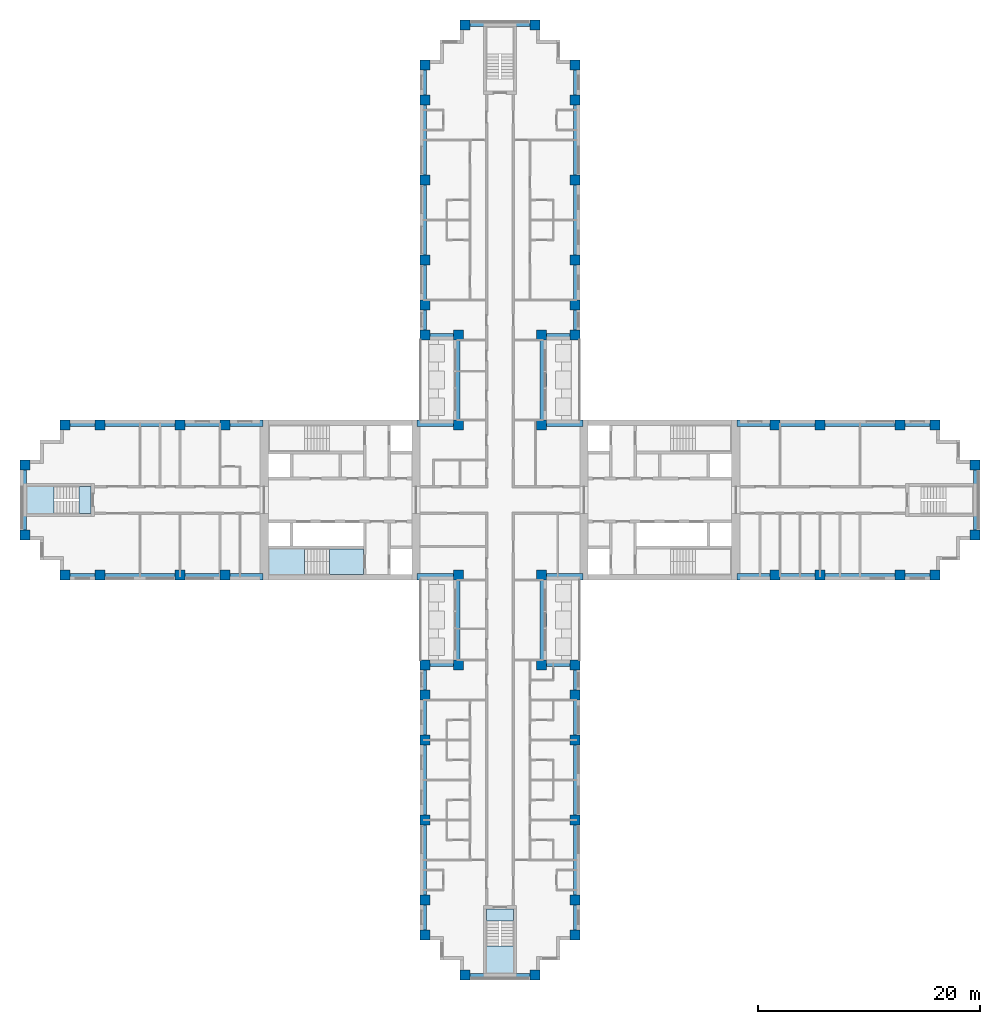
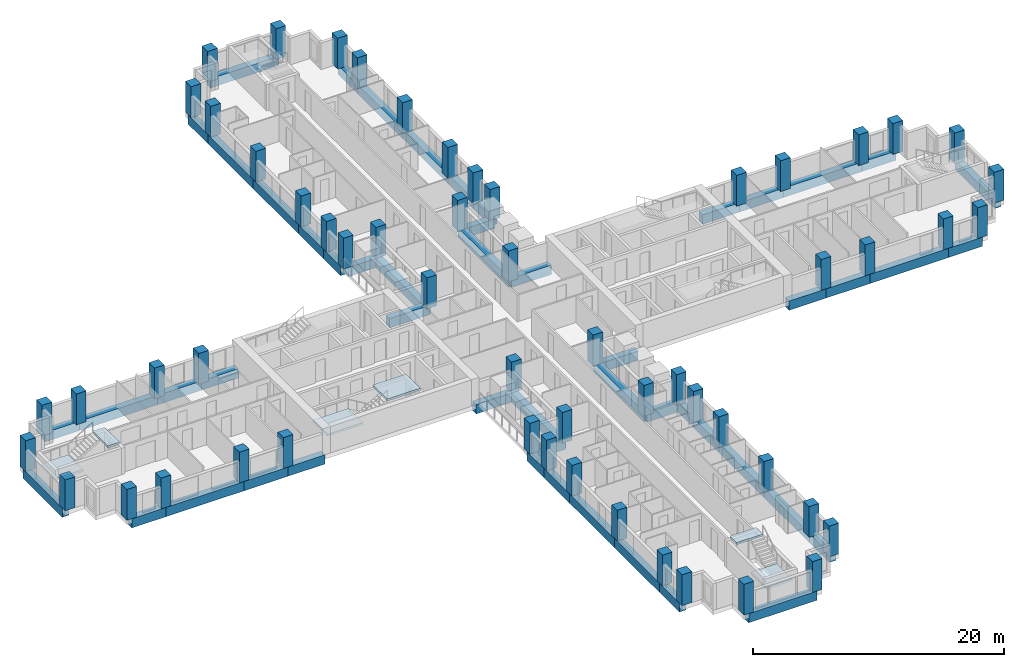
# One storey, part 1 of 16: 56 columns, 52 beams, 6 slabs, 3 elements without a shape of their own.
"""IFC4 building model written with IfcOpenShell, lengths in metres."""

import ifcopenshell
import ifcopenshell.guid

model = None  # the IFC model being written
_history = None  # IfcOwnerHistory: only IFC2X3 demands one
_inside = {}  # id of a spatial element -> (the spatial element, [elements in it])
_under = {}  # id of a project, library or spatial element -> (it, [spatial elements below it])
_declared = {}  # id of a project -> (the project, [libraries it declares])
_typed = {}  # id of a type object -> (the type object, [elements of that type])
_made_of = {}  # id of a material, layer set ... -> (it, [elements and type objects made of it])


def new_model(schema):
    """Start an empty IFC model of exactly this schema.

    Asked for "IFC4X3", IfcOpenShell would pick the latest addendum, in which some entities
    have other attributes; the version numbers below select the first issue.
    IFC2X3 requires an IfcOwnerHistory on every rooted entity: one is made here for all.
    """
    global model, _history
    if schema == "IFC4X3":
        model = ifcopenshell.file(schema_version=(4, 3, 0, 0))
    else:
        model = ifcopenshell.file(schema=schema)
    _inside.clear()
    _under.clear()
    _declared.clear()
    _typed.clear()
    _made_of.clear()
    _history = None
    if model.schema == "IFC2X3":
        org = make("IfcOrganization", Name="unknown")
        user = make(
            "IfcPersonAndOrganization",
            ThePerson=make("IfcPerson", FamilyName="unknown"),
            TheOrganization=org,
        )
        app = make(
            "IfcApplication",
            ApplicationDeveloper=org,
            Version="unknown",
            ApplicationFullName="unknown",
            ApplicationIdentifier="unknown",
        )
        _history = make(
            "IfcOwnerHistory",
            OwningUser=user,
            OwningApplication=app,
            ChangeAction="ADDED",
            CreationDate=0,
        )
    return model


def make(cls, **values):
    """One entity of the class cls with the attributes given. An attribute that is None is left unset."""
    return model.create_entity(
        cls, **{name: value for name, value in values.items() if value is not None}
    )


def rooted(cls, **values):
    """An entity with a GlobalId (a new one), such as an element, a storey or a relation."""
    return make(cls, GlobalId=ifcopenshell.guid.new(), OwnerHistory=_history, **values)


def si_unit(unit_type, name, prefix=None):
    """IfcSIUnit, for example si_unit("LENGTHUNIT", "METRE", prefix="MILLI")."""
    return make("IfcSIUnit", UnitType=unit_type, Prefix=prefix, Name=name)


def assignment(units):
    """IfcUnitAssignment: the units of a project."""
    return None if units is None else make("IfcUnitAssignment", Units=units)


def point(xyz):
    """IfcCartesianPoint."""
    return None if xyz is None else make("IfcCartesianPoint", Coordinates=xyz)


def direction(xyz):
    """IfcDirection."""
    return None if xyz is None else make("IfcDirection", DirectionRatios=xyz)


def frame(location, z_axis=None, x_axis=None):
    """IfcAxis2Placement3D, a coordinate frame: its origin and axes. An axis left out is left unset."""
    return make(
        "IfcAxis2Placement3D",
        Location=point(location),
        Axis=direction(z_axis),
        RefDirection=direction(x_axis),
    )


def frame_2d(location, x_axis=None):
    """IfcAxis2Placement2D, a coordinate frame in the plane: its origin and x axis."""
    return make(
        "IfcAxis2Placement2D", Location=point(location), RefDirection=direction(x_axis)
    )


def origin():
    """The frame at (0, 0, 0) with its axes left unset."""
    return frame((0.0, 0.0, 0.0))


def origin_2d():
    """The frame at (0, 0) in the plane with its x axis left unset."""
    return frame_2d((0.0, 0.0))


def place(relative_to, where):
    """IfcLocalPlacement: puts the frame where relative to a parent placement (None: the world)."""
    return make(
        "IfcLocalPlacement", PlacementRelTo=relative_to, RelativePlacement=where
    )


def context(
    kind, dimensions, precision=None, world=None, true_north=None, identifier=None
):
    """IfcGeometricRepresentationContext, for example the 3D "Model" context."""
    return make(
        "IfcGeometricRepresentationContext",
        ContextIdentifier=identifier,
        ContextType=kind,
        CoordinateSpaceDimension=dimensions,
        Precision=precision,
        WorldCoordinateSystem=world,
        TrueNorth=true_north,
    )


def subcontext(parent, identifier, kind, view, scale=None):
    """IfcGeometricRepresentationSubContext, for example "Body" below "Model"."""
    return make(
        "IfcGeometricRepresentationSubContext",
        ContextIdentifier=identifier,
        ContextType=kind,
        ParentContext=parent,
        TargetScale=scale,
        TargetView=view,
    )


def project(units=None, contexts=None):
    """IfcProject with its units and contexts."""
    return rooted(
        "IfcProject",
        Name="project",
        RepresentationContexts=contexts,
        UnitsInContext=assignment(units),
    )


def spatial(cls, under=None, at=None, **own):
    """A site, building, storey or space (cls), placed at a placement, below another one or the project."""
    s = rooted(cls, ObjectPlacement=at, **own)
    if under is not None:
        _under.setdefault(under.id(), (under, []))[1].append(s)
    return s


def polyline(points):
    """IfcPolyline through the points."""
    return make("IfcPolyline", Points=[point(p) for p in points])


def profile(cls, at=None, kind="AREA", **sizes):
    """A parametric profile (cls). Its sizes go by their IFC names, for example OverallWidth=200.0."""
    return make(cls, ProfileType=kind, Position=at, **sizes)


def rectangle(**sizes):
    """IfcRectangleProfileDef."""
    return profile("IfcRectangleProfileDef", **sizes)


def outline(outer, holes=None, kind="AREA"):
    """IfcArbitraryClosedProfileDef: a profile drawn as a closed curve; with holes, ...WithVoids."""
    if holes is None:
        return make("IfcArbitraryClosedProfileDef", ProfileType=kind, OuterCurve=outer)
    return make(
        "IfcArbitraryProfileDefWithVoids",
        ProfileType=kind,
        OuterCurve=outer,
        InnerCurves=holes,
    )


def extrude(swept, where, along, depth):
    """IfcExtrudedAreaSolid: the profile swept, set in the frame where, extruded along a direction by depth."""
    return make(
        "IfcExtrudedAreaSolid",
        SweptArea=swept,
        Position=where,
        ExtrudedDirection=direction(along),
        Depth=depth,
    )


def shape(context_of_items, identifier, shape_type, items):
    """IfcShapeRepresentation: the items that make up one representation, for example the "Body"."""
    return make(
        "IfcShapeRepresentation",
        ContextOfItems=context_of_items,
        RepresentationIdentifier=identifier,
        RepresentationType=shape_type,
        Items=items,
    )


def material(Name=None, Category=None):
    """IfcMaterial."""
    return make("IfcMaterial", Name=Name, Category=Category)


def layer(
    of_material, thickness, ventilated=None, Name=None, Category=None, Priority=None
):
    """IfcMaterialLayer: one layer of a wall or slab, of a material (None: an air gap)."""
    return make(
        "IfcMaterialLayer",
        Material=of_material,
        LayerThickness=thickness,
        IsVentilated=ventilated,
        Name=Name,
        Category=Category,
        Priority=Priority,
    )


def layer_set(layers, Name=None):
    """IfcMaterialLayerSet."""
    return make("IfcMaterialLayerSet", MaterialLayers=layers, LayerSetName=Name)


def material_profile(
    of_material, cross_section, Name=None, Category=None, Priority=None
):
    """IfcMaterialProfile: a cross section and its material."""
    return make(
        "IfcMaterialProfile",
        Name=Name,
        Material=of_material,
        Profile=cross_section,
        Priority=Priority,
        Category=Category,
    )


def profile_set(profiles, Name=None, composite=None):
    """IfcMaterialProfileSet."""
    return make(
        "IfcMaterialProfileSet",
        Name=Name,
        MaterialProfiles=profiles,
        CompositeProfile=composite,
    )


def made_of(thing, what):
    """Note that an element or type object is made of a material, layer set ...; save() writes the relation."""
    if what is not None:
        _made_of.setdefault(what.id(), (what, []))[1].append(thing)
    return thing


def type_object(cls, material=None, **own):
    """A type object (cls), such as IfcWallType, which elements share."""
    return made_of(rooted(cls, **own), material)


def element(
    cls,
    number,
    at=None,
    inside=None,
    cuts=None,
    type_object=None,
    material=None,
    context=None,
    identifier="Body",
    shape_type=None,
    held_by="IfcProductDefinitionShape",
    body=None,
    shapes=None,
    **own,
):
    """One element of the class cls, such as IfcWall. Its Tag is "e" and its number.

    at: its placement. inside: the storey or other place that contains it. cuts: it is an
    opening in that element (IfcRelVoidsElement). A single representation is given by context,
    identifier, shape_type and body (its items); several are given by shapes. held_by: the class
    of the entity that holds the representations. save() writes the other relations.
    """
    e = rooted(cls, Tag="e%d" % number, ObjectPlacement=at, **own)
    if body is not None:
        shapes = [shape(context, identifier, shape_type, body)]
    if shapes is not None:
        e.Representation = make(held_by, Representations=shapes)
    if inside is not None:
        _inside.setdefault(inside.id(), (inside, []))[1].append(e)
    if cuts is not None:
        rooted(
            "IfcRelVoidsElement", RelatingBuildingElement=cuts, RelatedOpeningElement=e
        )
    if type_object is not None:
        _typed.setdefault(type_object.id(), (type_object, []))[1].append(e)
    return made_of(e, material)


def aggregate(whole, parts):
    """IfcRelAggregates: a whole, such as a stair, and the parts it consists of."""
    return rooted("IfcRelAggregates", RelatingObject=whole, RelatedObjects=parts)


def save(model, path):
    """Write the relations noted so far, then the file.

    IfcRelAggregates (storeys below a building ...), IfcRelContainedInSpatialStructure (elements
    in a storey), IfcRelDefinesByType, IfcRelAssociatesMaterial and IfcRelDeclares: one each for
    every whole, place, type object, material and project.
    """
    for whole, parts in _under.values():
        aggregate(whole, parts)
    for where, things in _inside.values():
        rooted(
            "IfcRelContainedInSpatialStructure",
            RelatedElements=things,
            RelatingStructure=where,
        )
    for kind, things in _typed.values():
        rooted("IfcRelDefinesByType", RelatedObjects=things, RelatingType=kind)
    for what, things in _made_of.values():
        rooted("IfcRelAssociatesMaterial", RelatedObjects=things, RelatingMaterial=what)
    for by, libraries in _declared.values():
        rooted("IfcRelDeclares", RelatingContext=by, RelatedDefinitions=libraries)
    model.write(path)


model = new_model("IFC4")

# Units and contexts
model_context = context("Model", 3, precision=1e-05, world=origin(), true_north=direction((0.0, 1.0)))
body_context = subcontext(model_context, "Body", "Model", "MODEL_VIEW")
ifc_project = project(units=[si_unit("LENGTHUNIT", "METRE"), si_unit("AREAUNIT", "SQUARE_METRE"), si_unit("VOLUMEUNIT", "CUBIC_METRE"), si_unit("PLANEANGLEUNIT", "RADIAN"), si_unit("MASSUNIT", "GRAM", prefix="KILO")], contexts=[model_context])

# Site, building, storey
site_placement = place(None, origin())
site = spatial("IfcSite", under=ifc_project, at=site_placement, CompositionType="ELEMENT")
building_placement = place(site_placement, origin())
building = spatial("IfcBuilding", under=site, at=building_placement, Name="Fustian Cross Tower", CompositionType="ELEMENT")
storey_placement = place(building_placement, frame((0.0, 0.0, 23.699951171875)))
storey = spatial("IfcBuildingStorey", under=building, at=storey_placement, Name="L06", CompositionType="ELEMENT", Elevation=23.699951171875)

# Columns
ifc_material_1 = material(Name="Concrete C70/85", Category="concrete")
ifc_material_profile_1 = material_profile(ifc_material_1, rectangle(XDim=0.89990234375, YDim=0.89990234375, at=origin_2d()), Name="RC 900x900")
ifc_profile_set_1 = profile_set([ifc_material_profile_1], Name="Concrete C70/85")
column_type = type_object("IfcColumnType", Name="COLUMN RC 900x900 C70/85", PredefinedType="COLUMN", material=ifc_profile_set_1)
for number, where, z_axis, x_axis, name in (
    (1, (-42.75, -3.14990234375, 0.0), (0.0, 0.0, 1.0), (1.0, 0.0, 0.0), "COLUMN 001"),
    (2, (-42.75, 3.14990234375, 0.0), (0.0, 0.0, 1.0), (1.0, 0.0, 0.0), "COLUMN 002"),
    (3, (-39.14990234375, -6.75, 0.0), (0.0, 0.0, 1.0), (1.0, 0.0, 0.0), "COLUMN 003"),
    (4, (-39.14990234375, 6.75, 0.0), (0.0, 0.0, 1.0), (1.0, 0.0, 0.0), "COLUMN 004"),
    (5, (-36.0, -6.75, 0.0), (0.0, 0.0, 1.0), (1.0, 0.0, 0.0), "COLUMN 005"),
    (6, (-36.0, 6.75, 0.0), (0.0, 0.0, 1.0), (1.0, 0.0, 0.0), "COLUMN 006"),
    (7, (-28.800048828125, -6.75, 0.0), (0.0, 0.0, 1.0), (1.0, 0.0, 0.0), "COLUMN 007"),
    (8, (-28.800048828125, 6.75, 0.0), (0.0, 0.0, 1.0), (1.0, 0.0, 0.0), "COLUMN 010"),
    (9, (-24.75, -6.75, 0.0), (0.0, 0.0, 1.0), (1.0, 0.0, 0.0), "COLUMN 011"),
    (10, (-24.75, 6.75, 0.0), (0.0, 0.0, 1.0), (1.0, 0.0, 0.0), "COLUMN 012"),
    (11, (-6.75, -39.14990234375, 0.0), (0.0, 0.0, 1.0), (1.0, 0.0, 0.0), "COLUMN 013"),
    (12, (-6.75, -36.0, 0.0), (0.0, 0.0, 1.0), (1.0, 0.0, 0.0), "COLUMN 014"),
    (13, (-6.75, -28.800048828125, 0.0), (0.0, 0.0, 1.0), (1.0, 0.0, 0.0), "COLUMN 015"),
    (14, (-6.75, -21.60009765625, 0.0), (0.0, 0.0, 1.0), (1.0, 0.0, 0.0), "COLUMN 016"),
    (15, (-6.75, -17.550048828125, 0.0), (0.0, 0.0, 1.0), (1.0, 0.0, 0.0), "COLUMN 017"),
    (16, (-6.75, -14.85009765625, 0.0), (0.0, 0.0, 1.0), (1.0, 0.0, 0.0), "COLUMN 018"),
    (17, (-6.75, 14.85009765625, 0.0), (0.0, 0.0, 1.0), (1.0, 0.0, 0.0), "COLUMN 019"),
    (18, (-6.75, 17.550048828125, 0.0), (0.0, 0.0, 1.0), (1.0, 0.0, 0.0), "COLUMN 020"),
    (19, (-6.75, 21.60009765625, 0.0), (0.0, 0.0, 1.0), (1.0, 0.0, 0.0), "COLUMN 021"),
    (20, (-6.75, 28.800048828125, 0.0), (0.0, 0.0, 1.0), (1.0, 0.0, 0.0), "COLUMN 022"),
    (21, (-6.75, 36.0, 0.0), (0.0, 0.0, 1.0), (1.0, 0.0, 0.0), "COLUMN 023"),
    (22, (-6.75, 39.14990234375, 0.0), (0.0, 0.0, 1.0), (1.0, 0.0, 0.0), "COLUMN 024"),
    (23, (-3.75, -14.85009765625, 0.0), (0.0, 0.0, 1.0), (1.0, 0.0, 0.0), "COLUMN 025"),
    (24, (-3.75, -6.75, 0.0), (0.0, 0.0, 1.0), (1.0, 0.0, 0.0), "COLUMN 026"),
    (25, (-3.75, 6.75, 0.0), (0.0, 0.0, 1.0), (1.0, 0.0, 0.0), "COLUMN 027"),
    (26, (-3.75, 14.85009765625, 0.0), (0.0, 0.0, 1.0), (1.0, 0.0, 0.0), "COLUMN 028"),
    (27, (-3.14990234375, -42.75, 0.0), (0.0, 0.0, 1.0), (1.0, 0.0, 0.0), "COLUMN 029"),
    (28, (-3.14990234375, 42.75, 0.0), (0.0, 0.0, 1.0), (1.0, 0.0, 0.0), "COLUMN 032"),
    (29, (3.14990234375, -42.75, 0.0), (0.0, 0.0, 1.0), (1.0, 0.0, 0.0), "COLUMN 033"),
    (30, (3.14990234375, 42.75, 0.0), (0.0, 0.0, 1.0), (1.0, 0.0, 0.0), "COLUMN 036"),
    (31, (3.75, -14.85009765625, 0.0), (0.0, 0.0, 1.0), (1.0, 0.0, 0.0), "COLUMN 037"),
    (32, (3.75, -6.75, 0.0), (0.0, 0.0, 1.0), (1.0, 0.0, 0.0), "COLUMN 038"),
    (33, (3.75, 6.75, 0.0), (0.0, 0.0, 1.0), (1.0, 0.0, 0.0), "COLUMN 039"),
    (34, (3.75, 14.85009765625, 0.0), (0.0, 0.0, 1.0), (1.0, 0.0, 0.0), "COLUMN 040"),
    (35, (6.75, -39.14990234375, 0.0), (0.0, 0.0, 1.0), (1.0, 0.0, 0.0), "COLUMN 041"),
    (36, (6.75, -36.0, 0.0), (0.0, 0.0, 1.0), (1.0, 0.0, 0.0), "COLUMN 042"),
    (37, (6.75, -28.800048828125, 0.0), (0.0, 0.0, 1.0), (1.0, 0.0, 0.0), "COLUMN 043"),
    (38, (6.75, -21.60009765625, 0.0), (0.0, 0.0, 1.0), (1.0, 0.0, 0.0), "COLUMN 044"),
    (39, (6.75, -17.550048828125, 0.0), (0.0, 0.0, 1.0), (1.0, 0.0, 0.0), "COLUMN 045"),
    (40, (6.75, -14.85009765625, 0.0), (0.0, 0.0, 1.0), (1.0, 0.0, 0.0), "COLUMN 046"),
    (41, (6.75, 14.85009765625, 0.0), (0.0, 0.0, 1.0), (1.0, 0.0, 0.0), "COLUMN 047"),
    (42, (6.75, 17.550048828125, 0.0), (0.0, 0.0, 1.0), (1.0, 0.0, 0.0), "COLUMN 048"),
    (43, (6.75, 21.60009765625, 0.0), (0.0, 0.0, 1.0), (1.0, 0.0, 0.0), "COLUMN 049"),
    (44, (6.75, 28.800048828125, 0.0), (0.0, 0.0, 1.0), (1.0, 0.0, 0.0), "COLUMN 050"),
    (45, (6.75, 36.0, 0.0), (0.0, 0.0, 1.0), (1.0, 0.0, 0.0), "COLUMN 051"),
    (46, (6.75, 39.14990234375, 0.0), (0.0, 0.0, 1.0), (1.0, 0.0, 0.0), "COLUMN 052"),
    (47, (24.75, -6.75, 0.0), (0.0, 0.0, 1.0), (1.0, 0.0, 0.0), "COLUMN 053"),
    (48, (24.75, 6.75, 0.0), (0.0, 0.0, 1.0), (1.0, 0.0, 0.0), "COLUMN 054"),
    (49, (28.800048828125, -6.75, 0.0), (0.0, 0.0, 1.0), (1.0, 0.0, 0.0), "COLUMN 055"),
    (50, (28.800048828125, 6.75, 0.0), (0.0, 0.0, 1.0), (1.0, 0.0, 0.0), "COLUMN 058"),
    (51, (36.0, -6.75, 0.0), (0.0, 0.0, 1.0), (1.0, 0.0, 0.0), "COLUMN 059"),
    (52, (36.0, 6.75, 0.0), (0.0, 0.0, 1.0), (1.0, 0.0, 0.0), "COLUMN 060"),
    (53, (39.14990234375, -6.75, 0.0), (0.0, 0.0, 1.0), (1.0, 0.0, 0.0), "COLUMN 061"),
    (54, (39.14990234375, 6.75, 0.0), (0.0, 0.0, 1.0), (1.0, 0.0, 0.0), "COLUMN 062"),
    (55, (42.75, -3.14990234375, 0.0), (0.0, 0.0, 1.0), (1.0, 0.0, 0.0), "COLUMN 063"),
    (56, (42.75, 3.14990234375, 0.0), (0.0, 0.0, 1.0), (1.0, 0.0, 0.0), "COLUMN 064"),
):
    element("IfcColumn", number, at=place(storey_placement, frame(where, z_axis=z_axis, x_axis=x_axis)), inside=storey, type_object=column_type, Name=name, PredefinedType="COLUMN", context=body_context, shape_type="SweptSolid", body=[
        extrude(rectangle(XDim=0.89990234375, YDim=0.89990234375, at=origin_2d()), origin(), (0.0, 0.0, 1.0), 3.0),
    ])

# Beams
ifc_material_2 = material(Name="Concrete C50/60", Category="concrete")
ifc_material_profile_2 = material_profile(ifc_material_2, rectangle(XDim=0.60009765625, YDim=0.89990234375, at=origin_2d()), Name="RC 600x900")
ifc_profile_set_2 = profile_set([ifc_material_profile_2], Name="Concrete C50/60")
beam_type = type_object("IfcBeamType", Name="EDGE BEAM RC 600x900 C50/60", PredefinedType="SPANDREL", material=ifc_profile_set_2)
beam_1_placement = place(storey_placement, frame((21.35009765625, -6.89990234375, -0.449951171875), z_axis=(1.0, 0.0, 0.0), x_axis=(0.0, 1.0, 0.0)))
element("IfcBeam", 57, at=beam_1_placement, inside=storey, type_object=beam_type, Name="EDGE BEAM L06-01", PredefinedType="SPANDREL", context=body_context, shape_type="SweptSolid", body=[
    extrude(rectangle(XDim=0.60009765625, YDim=0.89990234375, at=origin_2d()), origin(), (0.0, 0.0, 1.0), 3.39990234375),
])
beam_2_placement = place(storey_placement, frame((24.75, -6.89990234375, -0.449951171875), z_axis=(1.0, 0.0, 0.0), x_axis=(0.0, 1.0, 0.0)))
element("IfcBeam", 58, at=beam_2_placement, inside=storey, type_object=beam_type, Name="EDGE BEAM L06-02", PredefinedType="SPANDREL", context=body_context, shape_type="SweptSolid", body=[
    extrude(rectangle(XDim=0.60009765625, YDim=0.89990234375, at=origin_2d()), origin(), (0.0, 0.0, 1.0), 4.050048828125),
])
beam_3_placement = place(storey_placement, frame((28.800048828125, -6.89990234375, -0.449951171875), z_axis=(1.0, 0.0, 0.0), x_axis=(0.0, 1.0, 0.0)))
element("IfcBeam", 59, at=beam_3_placement, inside=storey, type_object=beam_type, Name="EDGE BEAM L06-03", PredefinedType="SPANDREL", context=body_context, shape_type="SweptSolid", body=[
    extrude(rectangle(XDim=0.60009765625, YDim=0.89990234375, at=origin_2d()), origin(), (0.0, 0.0, 1.0), 7.199951171875),
])
beam_4_placement = place(storey_placement, frame((36.0, -6.89990234375, -0.449951171875), z_axis=(1.0, 0.0, 0.0), x_axis=(0.0, 1.0, 0.0)))
element("IfcBeam", 60, at=beam_4_placement, inside=storey, type_object=beam_type, Name="EDGE BEAM L06-04", PredefinedType="SPANDREL", context=body_context, shape_type="SweptSolid", body=[
    extrude(rectangle(XDim=0.60009765625, YDim=0.89990234375, at=origin_2d()), origin(), (0.0, 0.0, 1.0), 3.14990234375),
])
beam_5_placement = place(storey_placement, frame((42.89990234375, -3.14990234375, -0.449951171875), z_axis=(0.0, 1.0, 0.0), x_axis=(-1.0, 0.0, 0.0)))
element("IfcBeam", 61, at=beam_5_placement, inside=storey, type_object=beam_type, Name="EDGE BEAM L06-05", PredefinedType="SPANDREL", context=body_context, shape_type="SweptSolid", body=[
    extrude(rectangle(XDim=0.60009765625, YDim=0.89990234375, at=origin_2d()), origin(), (0.0, 0.0, 1.0), 6.2998046875),
])
beam_6_placement = place(storey_placement, frame((39.14990234375, 6.89990234375, -0.449951171875), z_axis=(-1.0, 0.0, 0.0), x_axis=(0.0, -1.0, 0.0)))
element("IfcBeam", 62, at=beam_6_placement, inside=storey, type_object=beam_type, Name="EDGE BEAM L06-06", PredefinedType="SPANDREL", context=body_context, shape_type="SweptSolid", body=[
    extrude(rectangle(XDim=0.60009765625, YDim=0.89990234375, at=origin_2d()), origin(), (0.0, 0.0, 1.0), 3.14990234375),
])
beam_7_placement = place(storey_placement, frame((36.0, 6.89990234375, -0.449951171875), z_axis=(-1.0, 0.0, 0.0), x_axis=(0.0, -1.0, 0.0)))
element("IfcBeam", 63, at=beam_7_placement, inside=storey, type_object=beam_type, Name="EDGE BEAM L06-07", PredefinedType="SPANDREL", context=body_context, shape_type="SweptSolid", body=[
    extrude(rectangle(XDim=0.60009765625, YDim=0.89990234375, at=origin_2d()), origin(), (0.0, 0.0, 1.0), 7.199951171875),
])
beam_8_placement = place(storey_placement, frame((28.800048828125, 6.89990234375, -0.449951171875), z_axis=(-1.0, 0.0, 0.0), x_axis=(0.0, -1.0, 0.0)))
element("IfcBeam", 64, at=beam_8_placement, inside=storey, type_object=beam_type, Name="EDGE BEAM L06-08", PredefinedType="SPANDREL", context=body_context, shape_type="SweptSolid", body=[
    extrude(rectangle(XDim=0.60009765625, YDim=0.89990234375, at=origin_2d()), origin(), (0.0, 0.0, 1.0), 4.050048828125),
])
beam_9_placement = place(storey_placement, frame((24.75, 6.89990234375, -0.449951171875), z_axis=(-1.0, 0.0, 0.0), x_axis=(0.0, -1.0, 0.0)))
element("IfcBeam", 65, at=beam_9_placement, inside=storey, type_object=beam_type, Name="EDGE BEAM L06-09", PredefinedType="SPANDREL", context=body_context, shape_type="SweptSolid", body=[
    extrude(rectangle(XDim=0.60009765625, YDim=0.89990234375, at=origin_2d()), origin(), (0.0, 0.0, 1.0), 3.39990234375),
])
beam_10_placement = place(storey_placement, frame((7.449951171875, 6.89990234375, -0.449951171875), z_axis=(-1.0, 0.0, 0.0), x_axis=(0.0, -1.0, 0.0)))
element("IfcBeam", 66, at=beam_10_placement, inside=storey, type_object=beam_type, Name="EDGE BEAM L06-10", PredefinedType="SPANDREL", context=body_context, shape_type="SweptSolid", body=[
    extrude(rectangle(XDim=0.60009765625, YDim=0.89990234375, at=origin_2d()), origin(), (0.0, 0.0, 1.0), 3.699951171875),
])
beam_11_placement = place(storey_placement, frame((3.89990234375, 6.75, -0.449951171875), z_axis=(0.0, 1.0, 0.0), x_axis=(-1.0, 0.0, 0.0)))
element("IfcBeam", 67, at=beam_11_placement, inside=storey, type_object=beam_type, Name="EDGE BEAM L06-11", PredefinedType="SPANDREL", context=body_context, shape_type="SweptSolid", body=[
    extrude(rectangle(XDim=0.60009765625, YDim=0.89990234375, at=origin_2d()), origin(), (0.0, 0.0, 1.0), 8.10009765625),
])
beam_12_placement = place(storey_placement, frame((3.75, 14.699951171875, -0.449951171875), z_axis=(1.0, 0.0, 0.0), x_axis=(0.0, 1.0, 0.0)))
element("IfcBeam", 68, at=beam_12_placement, inside=storey, type_object=beam_type, Name="EDGE BEAM L06-12", PredefinedType="SPANDREL", context=body_context, shape_type="SweptSolid", body=[
    extrude(rectangle(XDim=0.60009765625, YDim=0.89990234375, at=origin_2d()), origin(), (0.0, 0.0, 1.0), 3.0),
])
beam_13_placement = place(storey_placement, frame((6.89990234375, 14.85009765625, -0.449951171875), z_axis=(0.0, 1.0, 0.0), x_axis=(-1.0, 0.0, 0.0)))
element("IfcBeam", 69, at=beam_13_placement, inside=storey, type_object=beam_type, Name="EDGE BEAM L06-13", PredefinedType="SPANDREL", context=body_context, shape_type="SweptSolid", body=[
    extrude(rectangle(XDim=0.60009765625, YDim=0.89990234375, at=origin_2d()), origin(), (0.0, 0.0, 1.0), 2.699951171875),
])
beam_14_placement = place(storey_placement, frame((6.89990234375, 17.550048828125, -0.449951171875), z_axis=(0.0, 1.0, 0.0), x_axis=(-1.0, 0.0, 0.0)))
element("IfcBeam", 70, at=beam_14_placement, inside=storey, type_object=beam_type, Name="EDGE BEAM L06-14", PredefinedType="SPANDREL", context=body_context, shape_type="SweptSolid", body=[
    extrude(rectangle(XDim=0.60009765625, YDim=0.89990234375, at=origin_2d()), origin(), (0.0, 0.0, 1.0), 4.050048828125),
])
for number, where, z_axis, x_axis, name in (
    (71, (6.89990234375, 21.60009765625, -0.449951171875), (0.0, 1.0, 0.0), (-1.0, 0.0, 0.0), "EDGE BEAM L06-15"),
    (72, (6.89990234375, 28.800048828125, -0.449951171875), (0.0, 1.0, 0.0), (-1.0, 0.0, 0.0), "EDGE BEAM L06-16"),
):
    element("IfcBeam", number, at=place(storey_placement, frame(where, z_axis=z_axis, x_axis=x_axis)), inside=storey, type_object=beam_type, Name=name, PredefinedType="SPANDREL", context=body_context, shape_type="SweptSolid", body=[
        extrude(rectangle(XDim=0.60009765625, YDim=0.89990234375, at=origin_2d()), origin(), (0.0, 0.0, 1.0), 7.199951171875),
    ])
beam_15_placement = place(storey_placement, frame((6.89990234375, 36.0, -0.449951171875), z_axis=(0.0, 1.0, 0.0), x_axis=(-1.0, 0.0, 0.0)))
element("IfcBeam", 73, at=beam_15_placement, inside=storey, type_object=beam_type, Name="EDGE BEAM L06-17", PredefinedType="SPANDREL", context=body_context, shape_type="SweptSolid", body=[
    extrude(rectangle(XDim=0.60009765625, YDim=0.89990234375, at=origin_2d()), origin(), (0.0, 0.0, 1.0), 3.14990234375),
])
beam_16_placement = place(storey_placement, frame((3.14990234375, 42.89990234375, -0.449951171875), z_axis=(-1.0, 0.0, 0.0), x_axis=(0.0, -1.0, 0.0)))
element("IfcBeam", 74, at=beam_16_placement, inside=storey, type_object=beam_type, Name="EDGE BEAM L06-18", PredefinedType="SPANDREL", context=body_context, shape_type="SweptSolid", body=[
    extrude(rectangle(XDim=0.60009765625, YDim=0.89990234375, at=origin_2d()), origin(), (0.0, 0.0, 1.0), 6.2998046875),
])
beam_17_placement = place(storey_placement, frame((-6.89990234375, 39.14990234375, -0.449951171875), z_axis=(0.0, -1.0, 0.0), x_axis=(1.0, 0.0, 0.0)))
element("IfcBeam", 75, at=beam_17_placement, inside=storey, type_object=beam_type, Name="EDGE BEAM L06-19", PredefinedType="SPANDREL", context=body_context, shape_type="SweptSolid", body=[
    extrude(rectangle(XDim=0.60009765625, YDim=0.89990234375, at=origin_2d()), origin(), (0.0, 0.0, 1.0), 3.14990234375),
])
for number, where, z_axis, x_axis, name in (
    (76, (-6.89990234375, 36.0, -0.449951171875), (0.0, -1.0, 0.0), (1.0, 0.0, 0.0), "EDGE BEAM L06-20"),
    (77, (-6.89990234375, 28.800048828125, -0.449951171875), (0.0, -1.0, 0.0), (1.0, 0.0, 0.0), "EDGE BEAM L06-21"),
):
    element("IfcBeam", number, at=place(storey_placement, frame(where, z_axis=z_axis, x_axis=x_axis)), inside=storey, type_object=beam_type, Name=name, PredefinedType="SPANDREL", context=body_context, shape_type="SweptSolid", body=[
        extrude(rectangle(XDim=0.60009765625, YDim=0.89990234375, at=origin_2d()), origin(), (0.0, 0.0, 1.0), 7.199951171875),
    ])
beam_18_placement = place(storey_placement, frame((-6.89990234375, 21.60009765625, -0.449951171875), z_axis=(0.0, -1.0, 0.0), x_axis=(1.0, 0.0, 0.0)))
element("IfcBeam", 78, at=beam_18_placement, inside=storey, type_object=beam_type, Name="EDGE BEAM L06-22", PredefinedType="SPANDREL", context=body_context, shape_type="SweptSolid", body=[
    extrude(rectangle(XDim=0.60009765625, YDim=0.89990234375, at=origin_2d()), origin(), (0.0, 0.0, 1.0), 4.050048828125),
])
beam_19_placement = place(storey_placement, frame((-6.89990234375, 17.550048828125, -0.449951171875), z_axis=(0.0, -1.0, 0.0), x_axis=(1.0, 0.0, 0.0)))
element("IfcBeam", 79, at=beam_19_placement, inside=storey, type_object=beam_type, Name="EDGE BEAM L06-23", PredefinedType="SPANDREL", context=body_context, shape_type="SweptSolid", body=[
    extrude(rectangle(XDim=0.60009765625, YDim=0.89990234375, at=origin_2d()), origin(), (0.0, 0.0, 1.0), 2.699951171875),
])
beam_20_placement = place(storey_placement, frame((-6.75, 14.699951171875, -0.449951171875), z_axis=(1.0, 0.0, 0.0), x_axis=(0.0, 1.0, 0.0)))
element("IfcBeam", 80, at=beam_20_placement, inside=storey, type_object=beam_type, Name="EDGE BEAM L06-24", PredefinedType="SPANDREL", context=body_context, shape_type="SweptSolid", body=[
    extrude(rectangle(XDim=0.60009765625, YDim=0.89990234375, at=origin_2d()), origin(), (0.0, 0.0, 1.0), 3.0),
])
beam_21_placement = place(storey_placement, frame((-3.89990234375, 14.85009765625, -0.449951171875), z_axis=(0.0, -1.0, 0.0), x_axis=(1.0, 0.0, 0.0)))
element("IfcBeam", 81, at=beam_21_placement, inside=storey, type_object=beam_type, Name="EDGE BEAM L06-25", PredefinedType="SPANDREL", context=body_context, shape_type="SweptSolid", body=[
    extrude(rectangle(XDim=0.60009765625, YDim=0.89990234375, at=origin_2d()), origin(), (0.0, 0.0, 1.0), 8.10009765625),
])
beam_22_placement = place(storey_placement, frame((-3.75, 6.89990234375, -0.449951171875), z_axis=(-1.0, 0.0, 0.0), x_axis=(0.0, -1.0, 0.0)))
element("IfcBeam", 82, at=beam_22_placement, inside=storey, type_object=beam_type, Name="EDGE BEAM L06-26", PredefinedType="SPANDREL", context=body_context, shape_type="SweptSolid", body=[
    extrude(rectangle(XDim=0.60009765625, YDim=0.89990234375, at=origin_2d()), origin(), (0.0, 0.0, 1.0), 3.699951171875),
])
beam_23_placement = place(storey_placement, frame((-21.35009765625, 6.89990234375, -0.449951171875), z_axis=(-1.0, 0.0, 0.0), x_axis=(0.0, -1.0, 0.0)))
element("IfcBeam", 83, at=beam_23_placement, inside=storey, type_object=beam_type, Name="EDGE BEAM L06-27", PredefinedType="SPANDREL", context=body_context, shape_type="SweptSolid", body=[
    extrude(rectangle(XDim=0.60009765625, YDim=0.89990234375, at=origin_2d()), origin(), (0.0, 0.0, 1.0), 3.39990234375),
])
beam_24_placement = place(storey_placement, frame((-24.75, 6.89990234375, -0.449951171875), z_axis=(-1.0, 0.0, 0.0), x_axis=(0.0, -1.0, 0.0)))
element("IfcBeam", 84, at=beam_24_placement, inside=storey, type_object=beam_type, Name="EDGE BEAM L06-28", PredefinedType="SPANDREL", context=body_context, shape_type="SweptSolid", body=[
    extrude(rectangle(XDim=0.60009765625, YDim=0.89990234375, at=origin_2d()), origin(), (0.0, 0.0, 1.0), 4.050048828125),
])
beam_25_placement = place(storey_placement, frame((-28.800048828125, 6.89990234375, -0.449951171875), z_axis=(-1.0, 0.0, 0.0), x_axis=(0.0, -1.0, 0.0)))
element("IfcBeam", 85, at=beam_25_placement, inside=storey, type_object=beam_type, Name="EDGE BEAM L06-29", PredefinedType="SPANDREL", context=body_context, shape_type="SweptSolid", body=[
    extrude(rectangle(XDim=0.60009765625, YDim=0.89990234375, at=origin_2d()), origin(), (0.0, 0.0, 1.0), 7.199951171875),
])
beam_26_placement = place(storey_placement, frame((-36.0, 6.89990234375, -0.449951171875), z_axis=(-1.0, 0.0, 0.0), x_axis=(0.0, -1.0, 0.0)))
element("IfcBeam", 86, at=beam_26_placement, inside=storey, type_object=beam_type, Name="EDGE BEAM L06-30", PredefinedType="SPANDREL", context=body_context, shape_type="SweptSolid", body=[
    extrude(rectangle(XDim=0.60009765625, YDim=0.89990234375, at=origin_2d()), origin(), (0.0, 0.0, 1.0), 3.14990234375),
])
beam_27_placement = place(storey_placement, frame((-42.89990234375, 3.14990234375, -0.449951171875), z_axis=(0.0, -1.0, 0.0), x_axis=(1.0, 0.0, 0.0)))
element("IfcBeam", 87, at=beam_27_placement, inside=storey, type_object=beam_type, Name="EDGE BEAM L06-31", PredefinedType="SPANDREL", context=body_context, shape_type="SweptSolid", body=[
    extrude(rectangle(XDim=0.60009765625, YDim=0.89990234375, at=origin_2d()), origin(), (0.0, 0.0, 1.0), 6.2998046875),
])
beam_28_placement = place(storey_placement, frame((-39.14990234375, -6.89990234375, -0.449951171875), z_axis=(1.0, 0.0, 0.0), x_axis=(0.0, 1.0, 0.0)))
element("IfcBeam", 88, at=beam_28_placement, inside=storey, type_object=beam_type, Name="EDGE BEAM L06-32", PredefinedType="SPANDREL", context=body_context, shape_type="SweptSolid", body=[
    extrude(rectangle(XDim=0.60009765625, YDim=0.89990234375, at=origin_2d()), origin(), (0.0, 0.0, 1.0), 3.14990234375),
])
beam_29_placement = place(storey_placement, frame((-36.0, -6.89990234375, -0.449951171875), z_axis=(1.0, 0.0, 0.0), x_axis=(0.0, 1.0, 0.0)))
element("IfcBeam", 89, at=beam_29_placement, inside=storey, type_object=beam_type, Name="EDGE BEAM L06-33", PredefinedType="SPANDREL", context=body_context, shape_type="SweptSolid", body=[
    extrude(rectangle(XDim=0.60009765625, YDim=0.89990234375, at=origin_2d()), origin(), (0.0, 0.0, 1.0), 7.199951171875),
])
beam_30_placement = place(storey_placement, frame((-28.800048828125, -6.89990234375, -0.449951171875), z_axis=(1.0, 0.0, 0.0), x_axis=(0.0, 1.0, 0.0)))
element("IfcBeam", 90, at=beam_30_placement, inside=storey, type_object=beam_type, Name="EDGE BEAM L06-34", PredefinedType="SPANDREL", context=body_context, shape_type="SweptSolid", body=[
    extrude(rectangle(XDim=0.60009765625, YDim=0.89990234375, at=origin_2d()), origin(), (0.0, 0.0, 1.0), 4.050048828125),
])
beam_31_placement = place(storey_placement, frame((-24.75, -6.89990234375, -0.449951171875), z_axis=(1.0, 0.0, 0.0), x_axis=(0.0, 1.0, 0.0)))
element("IfcBeam", 91, at=beam_31_placement, inside=storey, type_object=beam_type, Name="EDGE BEAM L06-35", PredefinedType="SPANDREL", context=body_context, shape_type="SweptSolid", body=[
    extrude(rectangle(XDim=0.60009765625, YDim=0.89990234375, at=origin_2d()), origin(), (0.0, 0.0, 1.0), 3.39990234375),
])
beam_32_placement = place(storey_placement, frame((-7.449951171875, -6.89990234375, -0.449951171875), z_axis=(1.0, 0.0, 0.0), x_axis=(0.0, 1.0, 0.0)))
element("IfcBeam", 92, at=beam_32_placement, inside=storey, type_object=beam_type, Name="EDGE BEAM L06-36", PredefinedType="SPANDREL", context=body_context, shape_type="SweptSolid", body=[
    extrude(rectangle(XDim=0.60009765625, YDim=0.89990234375, at=origin_2d()), origin(), (0.0, 0.0, 1.0), 3.699951171875),
])
beam_33_placement = place(storey_placement, frame((-3.89990234375, -6.75, -0.449951171875), z_axis=(0.0, -1.0, 0.0), x_axis=(1.0, 0.0, 0.0)))
element("IfcBeam", 93, at=beam_33_placement, inside=storey, type_object=beam_type, Name="EDGE BEAM L06-37", PredefinedType="SPANDREL", context=body_context, shape_type="SweptSolid", body=[
    extrude(rectangle(XDim=0.60009765625, YDim=0.89990234375, at=origin_2d()), origin(), (0.0, 0.0, 1.0), 8.10009765625),
])
beam_34_placement = place(storey_placement, frame((-3.75, -14.699951171875, -0.449951171875), z_axis=(-1.0, 0.0, 0.0), x_axis=(0.0, -1.0, 0.0)))
element("IfcBeam", 94, at=beam_34_placement, inside=storey, type_object=beam_type, Name="EDGE BEAM L06-38", PredefinedType="SPANDREL", context=body_context, shape_type="SweptSolid", body=[
    extrude(rectangle(XDim=0.60009765625, YDim=0.89990234375, at=origin_2d()), origin(), (0.0, 0.0, 1.0), 3.0),
])
beam_35_placement = place(storey_placement, frame((-6.89990234375, -14.85009765625, -0.449951171875), z_axis=(0.0, -1.0, 0.0), x_axis=(1.0, 0.0, 0.0)))
element("IfcBeam", 95, at=beam_35_placement, inside=storey, type_object=beam_type, Name="EDGE BEAM L06-39", PredefinedType="SPANDREL", context=body_context, shape_type="SweptSolid", body=[
    extrude(rectangle(XDim=0.60009765625, YDim=0.89990234375, at=origin_2d()), origin(), (0.0, 0.0, 1.0), 2.699951171875),
])
beam_36_placement = place(storey_placement, frame((-6.89990234375, -17.550048828125, -0.449951171875), z_axis=(0.0, -1.0, 0.0), x_axis=(1.0, 0.0, 0.0)))
element("IfcBeam", 96, at=beam_36_placement, inside=storey, type_object=beam_type, Name="EDGE BEAM L06-40", PredefinedType="SPANDREL", context=body_context, shape_type="SweptSolid", body=[
    extrude(rectangle(XDim=0.60009765625, YDim=0.89990234375, at=origin_2d()), origin(), (0.0, 0.0, 1.0), 4.050048828125),
])
for number, where, z_axis, x_axis, name in (
    (97, (-6.89990234375, -21.60009765625, -0.449951171875), (0.0, -1.0, 0.0), (1.0, 0.0, 0.0), "EDGE BEAM L06-41"),
    (98, (-6.89990234375, -28.800048828125, -0.449951171875), (0.0, -1.0, 0.0), (1.0, 0.0, 0.0), "EDGE BEAM L06-42"),
):
    element("IfcBeam", number, at=place(storey_placement, frame(where, z_axis=z_axis, x_axis=x_axis)), inside=storey, type_object=beam_type, Name=name, PredefinedType="SPANDREL", context=body_context, shape_type="SweptSolid", body=[
        extrude(rectangle(XDim=0.60009765625, YDim=0.89990234375, at=origin_2d()), origin(), (0.0, 0.0, 1.0), 7.199951171875),
    ])
beam_37_placement = place(storey_placement, frame((-6.89990234375, -36.0, -0.449951171875), z_axis=(0.0, -1.0, 0.0), x_axis=(1.0, 0.0, 0.0)))
element("IfcBeam", 99, at=beam_37_placement, inside=storey, type_object=beam_type, Name="EDGE BEAM L06-43", PredefinedType="SPANDREL", context=body_context, shape_type="SweptSolid", body=[
    extrude(rectangle(XDim=0.60009765625, YDim=0.89990234375, at=origin_2d()), origin(), (0.0, 0.0, 1.0), 3.14990234375),
])
beam_38_placement = place(storey_placement, frame((-3.14990234375, -42.89990234375, -0.449951171875), z_axis=(1.0, 0.0, 0.0), x_axis=(0.0, 1.0, 0.0)))
element("IfcBeam", 100, at=beam_38_placement, inside=storey, type_object=beam_type, Name="EDGE BEAM L06-44", PredefinedType="SPANDREL", context=body_context, shape_type="SweptSolid", body=[
    extrude(rectangle(XDim=0.60009765625, YDim=0.89990234375, at=origin_2d()), origin(), (0.0, 0.0, 1.0), 6.2998046875),
])
beam_39_placement = place(storey_placement, frame((6.89990234375, -39.14990234375, -0.449951171875), z_axis=(0.0, 1.0, 0.0), x_axis=(-1.0, 0.0, 0.0)))
element("IfcBeam", 101, at=beam_39_placement, inside=storey, type_object=beam_type, Name="EDGE BEAM L06-45", PredefinedType="SPANDREL", context=body_context, shape_type="SweptSolid", body=[
    extrude(rectangle(XDim=0.60009765625, YDim=0.89990234375, at=origin_2d()), origin(), (0.0, 0.0, 1.0), 3.14990234375),
])
for number, where, z_axis, x_axis, name in (
    (102, (6.89990234375, -36.0, -0.449951171875), (0.0, 1.0, 0.0), (-1.0, 0.0, 0.0), "EDGE BEAM L06-46"),
    (103, (6.89990234375, -28.800048828125, -0.449951171875), (0.0, 1.0, 0.0), (-1.0, 0.0, 0.0), "EDGE BEAM L06-47"),
):
    element("IfcBeam", number, at=place(storey_placement, frame(where, z_axis=z_axis, x_axis=x_axis)), inside=storey, type_object=beam_type, Name=name, PredefinedType="SPANDREL", context=body_context, shape_type="SweptSolid", body=[
        extrude(rectangle(XDim=0.60009765625, YDim=0.89990234375, at=origin_2d()), origin(), (0.0, 0.0, 1.0), 7.199951171875),
    ])
beam_40_placement = place(storey_placement, frame((6.89990234375, -21.60009765625, -0.449951171875), z_axis=(0.0, 1.0, 0.0), x_axis=(-1.0, 0.0, 0.0)))
element("IfcBeam", 104, at=beam_40_placement, inside=storey, type_object=beam_type, Name="EDGE BEAM L06-48", PredefinedType="SPANDREL", context=body_context, shape_type="SweptSolid", body=[
    extrude(rectangle(XDim=0.60009765625, YDim=0.89990234375, at=origin_2d()), origin(), (0.0, 0.0, 1.0), 4.050048828125),
])
beam_41_placement = place(storey_placement, frame((6.89990234375, -17.550048828125, -0.449951171875), z_axis=(0.0, 1.0, 0.0), x_axis=(-1.0, 0.0, 0.0)))
element("IfcBeam", 105, at=beam_41_placement, inside=storey, type_object=beam_type, Name="EDGE BEAM L06-49", PredefinedType="SPANDREL", context=body_context, shape_type="SweptSolid", body=[
    extrude(rectangle(XDim=0.60009765625, YDim=0.89990234375, at=origin_2d()), origin(), (0.0, 0.0, 1.0), 2.699951171875),
])
beam_42_placement = place(storey_placement, frame((6.75, -14.699951171875, -0.449951171875), z_axis=(-1.0, 0.0, 0.0), x_axis=(0.0, -1.0, 0.0)))
element("IfcBeam", 106, at=beam_42_placement, inside=storey, type_object=beam_type, Name="EDGE BEAM L06-50", PredefinedType="SPANDREL", context=body_context, shape_type="SweptSolid", body=[
    extrude(rectangle(XDim=0.60009765625, YDim=0.89990234375, at=origin_2d()), origin(), (0.0, 0.0, 1.0), 3.0),
])
beam_43_placement = place(storey_placement, frame((3.89990234375, -14.85009765625, -0.449951171875), z_axis=(0.0, 1.0, 0.0), x_axis=(-1.0, 0.0, 0.0)))
element("IfcBeam", 107, at=beam_43_placement, inside=storey, type_object=beam_type, Name="EDGE BEAM L06-51", PredefinedType="SPANDREL", context=body_context, shape_type="SweptSolid", body=[
    extrude(rectangle(XDim=0.60009765625, YDim=0.89990234375, at=origin_2d()), origin(), (0.0, 0.0, 1.0), 8.10009765625),
])
beam_44_placement = place(storey_placement, frame((3.75, -6.89990234375, -0.449951171875), z_axis=(1.0, 0.0, 0.0), x_axis=(0.0, 1.0, 0.0)))
element("IfcBeam", 108, at=beam_44_placement, inside=storey, type_object=beam_type, Name="EDGE BEAM L06-52", PredefinedType="SPANDREL", context=body_context, shape_type="SweptSolid", body=[
    extrude(rectangle(XDim=0.60009765625, YDim=0.89990234375, at=origin_2d()), origin(), (0.0, 0.0, 1.0), 3.699951171875),
])

# Stair, slabs
ifc_material_3 = material(Name="Concrete C50/60", Category="concrete")
stair_type_1 = type_object("IfcStairType", Name="STAIR 1150 HALF TURN", PredefinedType="HALF_TURN_STAIR", material=ifc_material_3)
stair_1_placement = place(storey_placement, origin())
stair_1 = element("IfcStair", 109, at=stair_1_placement, inside=storey, type_object=stair_type_1, Name="Stair ST4", PredefinedType="HALF_TURN_STAIR")
ifc_material_4 = material(Name="Concrete C50/60", Category="concrete")
ifc_layer = layer(ifc_material_4, 0.199951171875)
ifc_layer_set = layer_set([ifc_layer], Name="Concrete C50/60")
slab_type = type_object("IfcSlabType", Name="STAIR LANDING", PredefinedType="LANDING", material=ifc_layer_set)
slab_1_placement = place(storey_placement, frame((0.0, 0.0, 1.300048828125)))
slab_1 = element("IfcSlab", 110, at=slab_1_placement, type_object=slab_type, Name="ST4 landing 1", PredefinedType="LANDING", context=body_context, shape_type="SweptSolid", body=[
    extrude(outline(polyline([(-17.590087890625, -4.39990234375), (-20.85009765625, -4.39990234375), (-20.85009765625, -6.699951171875), (-17.590087890625, -6.699951171875), (-17.590087890625, -4.39990234375)])), origin(), (0.0, 0.0, 1.0), 0.199951171875),
])
slab_2_placement = place(storey_placement, frame((0.0, 0.0, 2.800048828125)))
slab_2 = element("IfcSlab", 111, at=slab_2_placement, type_object=slab_type, Name="ST4 landing 2", PredefinedType="LANDING", context=body_context, shape_type="SweptSolid", body=[
    extrude(outline(polyline([(-12.300048828125, -4.39990234375), (-15.35009765625, -4.39990234375), (-15.35009765625, -6.699951171875), (-12.300048828125, -6.699951171875), (-12.300048828125, -4.39990234375)])), origin(), (0.0, 0.0, 1.0), 0.199951171875),
])
aggregate(stair_1, [slab_1, slab_2])

ifc_material_5 = material(Name="Concrete C50/60", Category="concrete")
stair_type_2 = type_object("IfcStairType", Name="STAIR 1100 HALF TURN", PredefinedType="HALF_TURN_STAIR", material=ifc_material_5)
stair_2_placement = place(storey_placement, origin())
stair_2 = element("IfcStair", 112, at=stair_2_placement, inside=storey, type_object=stair_type_2, Name="Stair ST6", PredefinedType="HALF_TURN_STAIR")
slab_3_placement = place(storey_placement, frame((0.0, 0.0, 1.300048828125)))
slab_3 = element("IfcSlab", 113, at=slab_3_placement, type_object=slab_type, Name="ST6 landing 1", PredefinedType="LANDING", context=body_context, shape_type="SweptSolid", body=[
    extrude(outline(polyline([(-1.199951171875, -40.139892578125), (-1.199951171875, -42.60009765625), (1.199951171875, -42.60009765625), (1.199951171875, -40.139892578125), (-1.199951171875, -40.139892578125)])), origin(), (0.0, 0.0, 1.0), 0.199951171875),
])
slab_4_placement = place(storey_placement, frame((0.0, 0.0, 2.800048828125)))
slab_4 = element("IfcSlab", 114, at=slab_4_placement, type_object=slab_type, Name="ST6 landing 2", PredefinedType="LANDING", context=body_context, shape_type="SweptSolid", body=[
    extrude(outline(polyline([(-1.199951171875, -36.800048828125), (-1.199951171875, -37.89990234375), (1.199951171875, -37.89990234375), (1.199951171875, -36.800048828125), (-1.199951171875, -36.800048828125)])), origin(), (0.0, 0.0, 1.0), 0.199951171875),
])
aggregate(stair_2, [slab_3, slab_4])

stair_3_placement = place(storey_placement, origin())
stair_3 = element("IfcStair", 115, at=stair_3_placement, inside=storey, type_object=stair_type_2, Name="Stair ST9", PredefinedType="HALF_TURN_STAIR")
slab_5_placement = place(storey_placement, frame((0.0, 0.0, 1.300048828125)))
slab_5 = element("IfcSlab", 116, at=slab_5_placement, type_object=slab_type, Name="ST9 landing 1", PredefinedType="LANDING", context=body_context, shape_type="SweptSolid", body=[
    extrude(outline(polyline([(-40.139892578125, -1.199951171875), (-42.60009765625, -1.199951171875), (-42.60009765625, 1.199951171875), (-40.139892578125, 1.199951171875), (-40.139892578125, -1.199951171875)])), origin(), (0.0, 0.0, 1.0), 0.199951171875),
])
slab_6_placement = place(storey_placement, frame((0.0, 0.0, 2.800048828125)))
slab_6 = element("IfcSlab", 117, at=slab_6_placement, type_object=slab_type, Name="ST9 landing 2", PredefinedType="LANDING", context=body_context, shape_type="SweptSolid", body=[
    extrude(outline(polyline([(-36.800048828125, -1.199951171875), (-37.89990234375, -1.199951171875), (-37.89990234375, 1.199951171875), (-36.800048828125, 1.199951171875), (-36.800048828125, -1.199951171875)])), origin(), (0.0, 0.0, 1.0), 0.199951171875),
])
aggregate(stair_3, [slab_5, slab_6])

save(model, "model.ifc")
